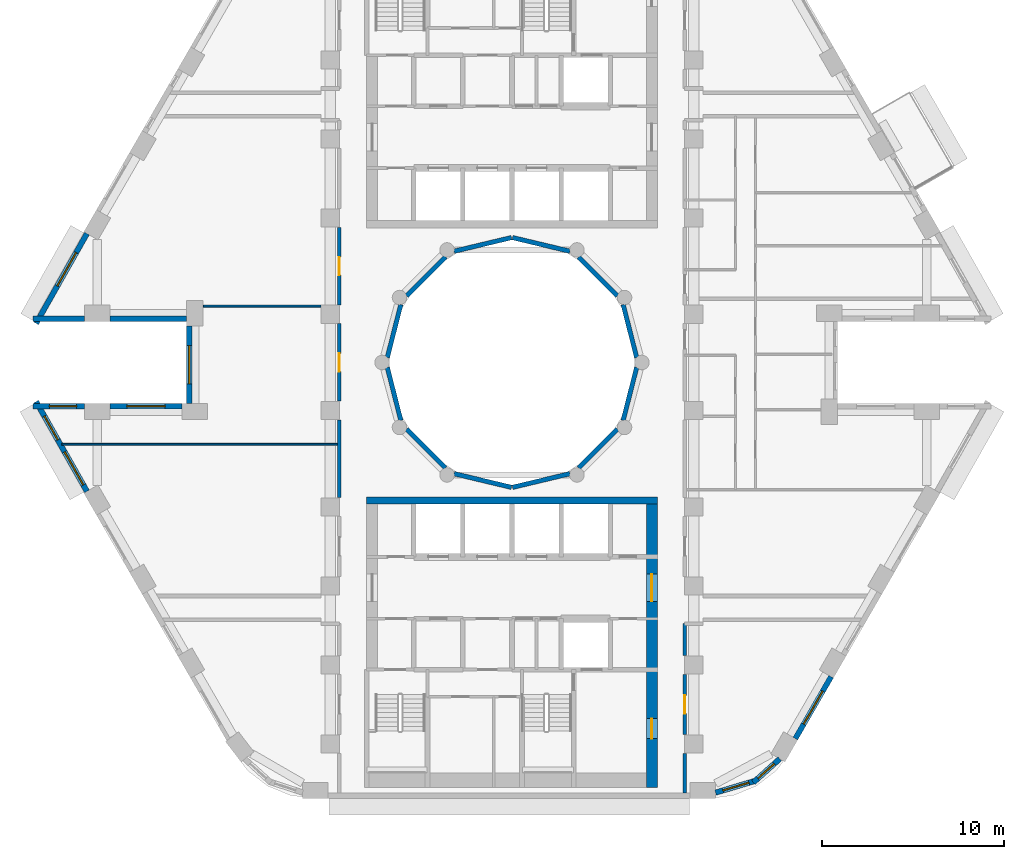
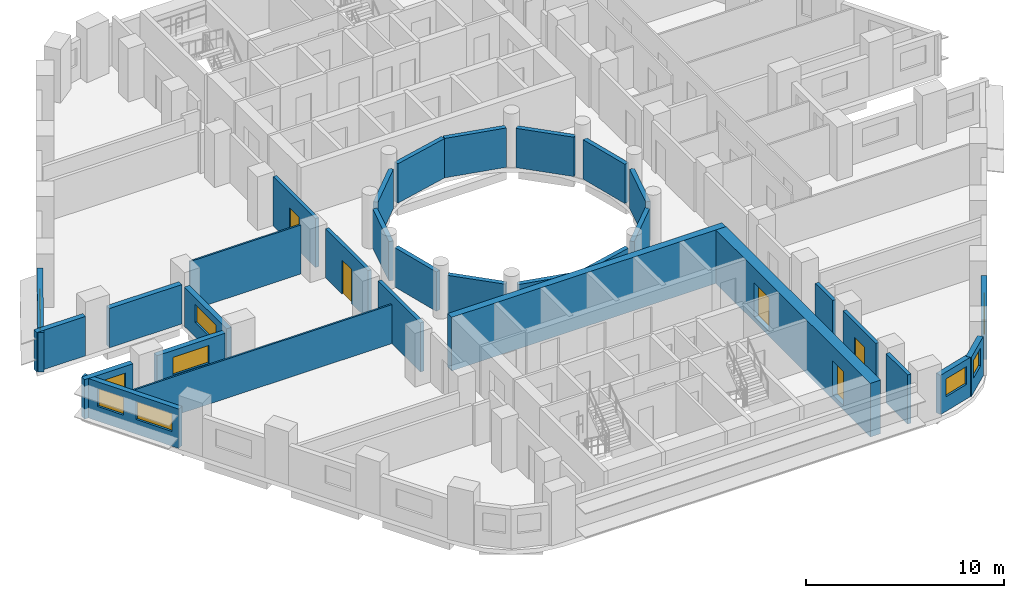
# One storey, part 4 of 13: 32 walls, 9 windows, 5 doors, 14 openings.
"""IFC4 building model written with IfcOpenShell, lengths in metres."""

from ifc_helpers import new_model, si_unit, direction, frame, frame_2d, origin, place, context, subcontext, project, spatial, rectangle, extrude, material, layer, layer_set, type_object, element, fill, save


model = new_model("IFC4")

# Units and contexts
model_context = context("Model", 3, precision=1e-05, world=origin(), true_north=direction((0.0, 1.0)))
body_context = subcontext(model_context, "Body", "Model", "MODEL_VIEW")
ifc_project = project(units=[si_unit("LENGTHUNIT", "METRE"), si_unit("AREAUNIT", "SQUARE_METRE"), si_unit("VOLUMEUNIT", "CUBIC_METRE"), si_unit("PLANEANGLEUNIT", "RADIAN"), si_unit("MASSUNIT", "GRAM", prefix="KILO")], contexts=[model_context])

# Site, building, storey
site_placement = place(None, origin())
site = spatial("IfcSite", under=ifc_project, at=site_placement, CompositionType="ELEMENT")
building_placement = place(site_placement, origin())
building = spatial("IfcBuilding", under=site, at=building_placement, Name="Nakaniwa Court", CompositionType="ELEMENT")
storey_placement = place(building_placement, frame((0.0, 0.0, 84.300048828125)))
storey = spatial("IfcBuildingStorey", under=building, at=storey_placement, Name="L21", CompositionType="ELEMENT", Elevation=84.300048828125)

# Wall
ifc_material_1 = material(Name="Acoustic double stud partition")
ifc_layer_1 = layer(ifc_material_1, 0.199951171875)
ifc_layer_set_1 = layer_set([ifc_layer_1], Name="Acoustic double stud partition")
wall_type_1 = type_object("IfcWallType", Name="Acoustic double stud partition 200", PredefinedType="PARTITIONING", material=ifc_layer_set_1)
wall_1_placement = place(storey_placement, frame((89.5, 56.300048828125, 0.0), z_axis=(0.0, 0.0, 1.0), x_axis=(0.0, 1.0, 0.0)))
element("IfcWall", 1, at=wall_1_placement, inside=storey, type_object=wall_type_1, Name="Partition PW-069", PredefinedType="PARTITIONING", context=body_context, shape_type="SweptSolid", body=[
    extrude(rectangle(XDim=2.182861328125, YDim=0.199951171875, at=frame_2d((1.09130859375, 0.0))), origin(), (0.0, 0.0, 1.0), 3.02490234375),
])

# Wall, opening, door
wall_2_placement = place(storey_placement, frame((89.5, 62.8330078125, 0.0), z_axis=(0.0, 0.0, 1.0), x_axis=(0.0, -1.0, 0.0)))
wall_2 = element("IfcWall", 2, at=wall_2_placement, inside=storey, type_object=wall_type_1, Name="Partition PW-070", PredefinedType="PARTITIONING", context=body_context, shape_type="SweptSolid", body=[
    extrude(rectangle(XDim=3.31591796875, YDim=0.199951171875, at=frame_2d((1.657958984375, 0.0))), origin(), (0.0, 0.0, 1.0), 3.02490234375),
])
opening_1_placement = place(wall_2_placement, frame((1.157958984375, 0.0, 0.0)))
opening_1 = element("IfcOpeningElement", 3, at=opening_1_placement, cuts=wall_2, Name="Opening D-02-08", PredefinedType="OPENING", context=body_context, shape_type="SweptSolid", body=[
    extrude(rectangle(XDim=1.0, YDim=2.10009765625, at=frame_2d((0.5, 1.050048828125))), frame((0.0, 0.10986328125, 0.0), z_axis=(0.0, -1.0, 0.0), x_axis=(1.0, 0.0, 0.0)), (0.0, 0.0, 1.0), 0.219970703125),
])
ifc_material_2 = material(Name="Solid core timber door set, black veneer", Category="wood")
door_type_1 = type_object("IfcDoorType", Name="Internal door 1000", OperationType="NOTDEFINED", PredefinedType="DOOR", material=ifc_material_2)
door_1_placement = place(opening_1_placement, origin())
door_1 = element("IfcDoor", 4, at=door_1_placement, inside=storey, type_object=door_type_1, Name="Door D-02-08 L21-046", OperationType="SINGLE_SWING_LEFT", OverallHeight=2.10009765625, OverallWidth=1.0, PredefinedType="DOOR", context=body_context, shape_type="SweptSolid", body=[
    extrude(rectangle(XDim=1.0, YDim=2.10009765625, at=frame_2d((0.5, 1.050048828125))), frame((0.0, 0.02490234375, 0.0), z_axis=(0.0, -1.0, 0.0), x_axis=(1.0, 0.0, 0.0)), (0.0, 0.0, 1.0), 0.050048828125),
])
fill(opening_1, door_1)

# Walls
wall_3_placement = place(storey_placement, frame((89.5, 63.866943359375, 0.0), z_axis=(0.0, 0.0, 1.0), x_axis=(0.0, 1.0, 0.0)))
element("IfcWall", 5, at=wall_3_placement, inside=storey, type_object=wall_type_1, Name="Partition PW-071", PredefinedType="PARTITIONING", context=body_context, shape_type="SweptSolid", body=[
    extrude(rectangle(XDim=1.760986328125, YDim=0.199951171875, at=frame_2d((0.88037109375, 0.0))), origin(), (0.0, 0.0, 1.0), 3.02490234375),
])
wall_4_placement = place(storey_placement, frame((70.5, 72.56689453125, 0.0), z_axis=(0.0, 0.0, 1.0), x_axis=(0.0, 1.0, 0.0)))
element("IfcWall", 6, at=wall_4_placement, inside=storey, type_object=wall_type_1, Name="Partition PW-099", PredefinedType="PARTITIONING", context=body_context, shape_type="SweptSolid", body=[
    extrude(rectangle(XDim=4.26611328125, YDim=0.199951171875, at=frame_2d((2.133056640625, 0.0))), origin(), (0.0, 0.0, 1.0), 3.02490234375),
])

# Wall, opening, door
wall_5_placement = place(storey_placement, frame((70.5, 77.866943359375, 0.0), z_axis=(0.0, 0.0, 1.0), x_axis=(0.0, 1.0, 0.0)))
wall_5 = element("IfcWall", 7, at=wall_5_placement, inside=storey, type_object=wall_type_1, Name="Partition PW-100", PredefinedType="PARTITIONING", context=body_context, shape_type="SweptSolid", body=[
    extrude(rectangle(XDim=4.26611328125, YDim=0.199951171875, at=frame_2d((2.133056640625, 0.0))), origin(), (0.0, 0.0, 1.0), 3.02490234375),
])
opening_2_placement = place(wall_5_placement, frame((1.633056640625, 0.0, 0.0)))
opening_2 = element("IfcOpeningElement", 8, at=opening_2_placement, cuts=wall_5, Name="Opening D-02-05", PredefinedType="OPENING", context=body_context, shape_type="SweptSolid", body=[
    extrude(rectangle(XDim=1.0, YDim=2.10009765625, at=frame_2d((0.5, 1.050048828125))), frame((0.0, 0.10986328125, 0.0), z_axis=(0.0, -1.0, 0.0), x_axis=(1.0, 0.0, 0.0)), (0.0, 0.0, 1.0), 0.219970703125),
])
door_2_placement = place(opening_2_placement, origin())
door_2 = element("IfcDoor", 9, at=door_2_placement, inside=storey, type_object=door_type_1, Name="Door D-02-05 L21-043", OperationType="SINGLE_SWING_RIGHT", OverallHeight=2.10009765625, OverallWidth=1.0, PredefinedType="DOOR", context=body_context, shape_type="SweptSolid", body=[
    extrude(rectangle(XDim=1.0, YDim=2.10009765625, at=frame_2d((0.5, 1.050048828125))), frame((0.0, 0.02490234375, 0.0), z_axis=(0.0, -1.0, 0.0), x_axis=(1.0, 0.0, 0.0)), (0.0, 0.0, 1.0), 0.050048828125),
])
fill(opening_2, door_2)

wall_6_placement = place(storey_placement, frame((70.5, 83.1669921875, 0.0), z_axis=(0.0, 0.0, 1.0), x_axis=(0.0, 1.0, 0.0)))
wall_6 = element("IfcWall", 10, at=wall_6_placement, inside=storey, type_object=wall_type_1, Name="Partition PW-101", PredefinedType="PARTITIONING", context=body_context, shape_type="SweptSolid", body=[
    extrude(rectangle(XDim=4.26611328125, YDim=0.199951171875, at=frame_2d((2.133056640625, 0.0))), origin(), (0.0, 0.0, 1.0), 3.02490234375),
])
opening_3_placement = place(wall_6_placement, frame((1.633056640625, 0.0, 0.0)))
opening_3 = element("IfcOpeningElement", 11, at=opening_3_placement, cuts=wall_6, Name="Opening D-02-06", PredefinedType="OPENING", context=body_context, shape_type="SweptSolid", body=[
    extrude(rectangle(XDim=1.0, YDim=2.10009765625, at=frame_2d((0.5, 1.050048828125))), frame((0.0, 0.10986328125, 0.0), z_axis=(0.0, -1.0, 0.0), x_axis=(1.0, 0.0, 0.0)), (0.0, 0.0, 1.0), 0.219970703125),
])
door_3_placement = place(opening_3_placement, origin())
door_3 = element("IfcDoor", 12, at=door_3_placement, inside=storey, type_object=door_type_1, Name="Door D-02-06 L21-044", OperationType="SINGLE_SWING_LEFT", OverallHeight=2.10009765625, OverallWidth=1.0, PredefinedType="DOOR", context=body_context, shape_type="SweptSolid", body=[
    extrude(rectangle(XDim=1.0, YDim=2.10009765625, at=frame_2d((0.5, 1.050048828125))), frame((0.0, 0.02490234375, 0.0), z_axis=(0.0, -1.0, 0.0), x_axis=(1.0, 0.0, 0.0)), (0.0, 0.0, 1.0), 0.050048828125),
])
fill(opening_3, door_3)

# Wall, opening, window
ifc_material_3 = material(Name="Charcoal ceramic cladding")
ifc_layer_2 = layer(ifc_material_3, 0.02, Name="Ceramic cladding")
ifc_material_4 = material(Name="Ventilated air cavity")
ifc_layer_3 = layer(ifc_material_4, 0.04, ventilated=True, Name="Ventilated cavity")
ifc_material_5 = material(Name="Mineral wool insulation")
ifc_layer_4 = layer(ifc_material_5, 0.1, Name="Insulation")
ifc_material_6 = material(Name="Cement bonded sheathing board")
ifc_layer_5 = layer(ifc_material_6, 0.012, Name="Sheathing")
ifc_material_7 = material(Name="Cold-formed galvanised stud frame with mineral wool infill")
ifc_layer_6 = layer(ifc_material_7, 0.1, Name="Stud frame")
ifc_material_8 = material(Name="Fire-rated gypsum plasterboard lining")
ifc_layer_7 = layer(ifc_material_8, 0.028, Name="Lining")
ifc_layer_set_2 = layer_set([ifc_layer_2, ifc_layer_3, ifc_layer_4, ifc_layer_5, ifc_layer_6, ifc_layer_7], Name="Charcoal ceramic faced external wall system")
wall_type_2 = type_object("IfcWallType", Name="Black ceramic faced external wall 300", PredefinedType="SOLIDWALL", material=ifc_layer_set_2)
wall_7_placement = place(storey_placement, frame((56.609375, 87.09375, 0.0), z_axis=(0.0, 0.0, 1.0), x_axis=(-0.492456858874, -0.870336855561, 0.0)))
wall_7 = element("IfcWall", 13, at=wall_7_placement, inside=storey, type_object=wall_type_2, Name="L21 external wall 14", PredefinedType="SOLIDWALL", context=body_context, shape_type="SweptSolid", body=[
    extrude(rectangle(XDim=5.676513671875, YDim=0.300048828125, at=frame_2d((2.83837890625, 0.0))), origin(), (0.0, 0.0, 1.0), 2.425048828125),
])
opening_4_placement = place(wall_7_placement, frame((1.208984375, 0.0, 0.89990234375)))
opening_4 = element("IfcOpeningElement", 14, at=opening_4_placement, cuts=wall_7, Name="Opening W7.16", PredefinedType="OPENING", context=body_context, shape_type="SweptSolid", body=[
    extrude(rectangle(XDim=2.10009765625, YDim=1.10009765625, at=frame_2d((1.050048828125, 0.550048828125))), frame((0.0, 0.159912109375, 0.0), z_axis=(0.0, -1.0, 0.0), x_axis=(1.0, 0.0, 0.0)), (0.0, 0.0, 1.0), 0.320068359375),
])
ifc_material_9 = material(Name="Black anodised aluminium frame with dark low-E laminated double glazing", Category="aluminium")
window_type_1 = type_object("IfcWindowType", Name="Dark glass window 2100x1100 sill 900", PartitioningType="SINGLE_PANEL", PredefinedType="WINDOW", material=ifc_material_9)
window_1_placement = place(opening_4_placement, origin())
window_1 = element("IfcWindow", 15, at=window_1_placement, inside=storey, type_object=window_type_1, Name="L21 habitable room window 14-0", OverallHeight=1.10009765625, OverallWidth=2.10009765625, PartitioningType="SINGLE_PANEL", PredefinedType="WINDOW", context=body_context, shape_type="SweptSolid", body=[
    extrude(rectangle(XDim=2.10009765625, YDim=1.10009765625, at=frame_2d((1.050048828125, 0.550048828125))), frame((0.0, 0.030029296875, 0.0), z_axis=(0.0, -1.0, 0.0), x_axis=(1.0, 0.0, 0.0)), (0.0, 0.0, 1.0), 0.06005859375),
])
fill(opening_4, window_1)

# Walls
wall_8_placement = place(storey_placement, frame((53.643310546875, 82.39990234375, 0.0), z_axis=(0.0, 0.0, 1.0), x_axis=(1.0, 0.0, 0.0)))
element("IfcWall", 16, at=wall_8_placement, inside=storey, type_object=wall_type_2, Name="L21 external wall 15", PredefinedType="SOLIDWALL", context=body_context, shape_type="SweptSolid", body=[
    extrude(rectangle(XDim=2.837890625, YDim=0.300048828125, at=frame_2d((1.4189453125, 0.0))), origin(), (0.0, 0.0, 1.0), 2.425048828125),
])
wall_9_placement = place(storey_placement, frame((57.873046875, 82.39990234375, 0.0), z_axis=(0.0, 0.0, 1.0), x_axis=(1.0, 0.0, 0.0)))
element("IfcWall", 17, at=wall_9_placement, inside=storey, type_object=wall_type_2, Name="L21 external wall 16", PredefinedType="SOLIDWALL", context=body_context, shape_type="SweptSolid", body=[
    extrude(rectangle(XDim=4.22265625, YDim=0.300048828125, at=frame_2d((2.111328125, 0.0))), origin(), (0.0, 0.0, 1.0), 2.425048828125),
])

# Wall, opening, window
wall_10_placement = place(storey_placement, frame((62.24169921875, 82.00390625, 0.0), z_axis=(0.0, 0.0, 1.0), x_axis=(0.0, -1.0, 0.0)))
wall_10 = element("IfcWall", 18, at=wall_10_placement, inside=storey, type_object=wall_type_2, Name="L21 external wall 17", PredefinedType="SOLIDWALL", context=body_context, shape_type="SweptSolid", body=[
    extrude(rectangle(XDim=4.2578125, YDim=0.300048828125, at=frame_2d((2.12890625, 0.0))), origin(), (0.0, 0.0, 1.0), 2.425048828125),
])
opening_5_placement = place(wall_10_placement, frame((1.0791015625, 0.0, 0.89990234375)))
opening_5 = element("IfcOpeningElement", 19, at=opening_5_placement, cuts=wall_10, Name="Opening W7.17", PredefinedType="OPENING", context=body_context, shape_type="SweptSolid", body=[
    extrude(rectangle(XDim=2.10009765625, YDim=1.10009765625, at=frame_2d((1.050048828125, 0.550048828125))), frame((0.0, 0.159912109375, 0.0), z_axis=(0.0, -1.0, 0.0), x_axis=(1.0, 0.0, 0.0)), (0.0, 0.0, 1.0), 0.320068359375),
])
window_2_placement = place(opening_5_placement, origin())
window_2 = element("IfcWindow", 20, at=window_2_placement, inside=storey, type_object=window_type_1, Name="L21 habitable room window 17-0", OverallHeight=1.10009765625, OverallWidth=2.10009765625, PartitioningType="SINGLE_PANEL", PredefinedType="WINDOW", context=body_context, shape_type="SweptSolid", body=[
    extrude(rectangle(XDim=2.10009765625, YDim=1.10009765625, at=frame_2d((1.050048828125, 0.550048828125))), frame((0.0, 0.030029296875, 0.0), z_axis=(0.0, -1.0, 0.0), x_axis=(1.0, 0.0, 0.0)), (0.0, 0.0, 1.0), 0.06005859375),
])
fill(opening_5, window_2)

wall_11_placement = place(storey_placement, frame((61.845703125, 77.60009765625, 0.0), z_axis=(0.0, 0.0, 1.0), x_axis=(-1.0, 0.0, 0.0)))
wall_11 = element("IfcWall", 21, at=wall_11_placement, inside=storey, type_object=wall_type_2, Name="L21 external wall 18", PredefinedType="SOLIDWALL", context=body_context, shape_type="SweptSolid", body=[
    extrude(rectangle(XDim=3.97265625, YDim=0.300048828125, at=frame_2d((1.986328125, 0.0))), origin(), (0.0, 0.0, 1.0), 2.425048828125),
])
opening_6_placement = place(wall_11_placement, frame((0.936279296875, 0.0, 0.89990234375)))
opening_6 = element("IfcOpeningElement", 22, at=opening_6_placement, cuts=wall_11, Name="Opening W7.18", PredefinedType="OPENING", context=body_context, shape_type="SweptSolid", body=[
    extrude(rectangle(XDim=2.10009765625, YDim=1.10009765625, at=frame_2d((1.050048828125, 0.550048828125))), frame((0.0, 0.159912109375, 0.0), z_axis=(0.0, -1.0, 0.0), x_axis=(1.0, 0.0, 0.0)), (0.0, 0.0, 1.0), 0.320068359375),
])
window_3_placement = place(opening_6_placement, origin())
window_3 = element("IfcWindow", 23, at=window_3_placement, inside=storey, type_object=window_type_1, Name="L21 habitable room window 18-0", OverallHeight=1.10009765625, OverallWidth=2.10009765625, PartitioningType="SINGLE_PANEL", PredefinedType="WINDOW", context=body_context, shape_type="SweptSolid", body=[
    extrude(rectangle(XDim=2.10009765625, YDim=1.10009765625, at=frame_2d((1.050048828125, 0.550048828125))), frame((0.0, 0.030029296875, 0.0), z_axis=(0.0, -1.0, 0.0), x_axis=(1.0, 0.0, 0.0)), (0.0, 0.0, 1.0), 0.06005859375),
])
fill(opening_6, window_3)

wall_12_placement = place(storey_placement, frame((56.481201171875, 77.60009765625, 0.0), z_axis=(0.0, 0.0, 1.0), x_axis=(-1.0, 0.0, 0.0)))
wall_12 = element("IfcWall", 24, at=wall_12_placement, inside=storey, type_object=wall_type_2, Name="L21 external wall 19", PredefinedType="SOLIDWALL", context=body_context, shape_type="SweptSolid", body=[
    extrude(rectangle(XDim=2.837890625, YDim=0.300048828125, at=frame_2d((1.4189453125, 0.0))), origin(), (0.0, 0.0, 1.0), 2.425048828125),
])
opening_7_placement = place(wall_12_placement, frame((0.44384765625, 0.0, 0.89990234375)))
opening_7 = element("IfcOpeningElement", 25, at=opening_7_placement, cuts=wall_12, Name="Opening W5.19", PredefinedType="OPENING", context=body_context, shape_type="SweptSolid", body=[
    extrude(rectangle(XDim=1.5, YDim=1.10009765625, at=frame_2d((0.75, 0.550048828125))), frame((0.0, 0.159912109375, 0.0), z_axis=(0.0, -1.0, 0.0), x_axis=(1.0, 0.0, 0.0)), (0.0, 0.0, 1.0), 0.320068359375),
])
window_type_2 = type_object("IfcWindowType", Name="Dark glass window 1500x1100 sill 900", PartitioningType="SINGLE_PANEL", PredefinedType="WINDOW", material=ifc_material_9)
window_4_placement = place(opening_7_placement, origin())
window_4 = element("IfcWindow", 26, at=window_4_placement, inside=storey, type_object=window_type_2, Name="L21 habitable room window 19-0", OverallHeight=1.10009765625, OverallWidth=1.5, PartitioningType="SINGLE_PANEL", PredefinedType="WINDOW", context=body_context, shape_type="SweptSolid", body=[
    extrude(rectangle(XDim=1.5, YDim=1.10009765625, at=frame_2d((0.75, 0.550048828125))), frame((0.0, 0.030029296875, 0.0), z_axis=(0.0, -1.0, 0.0), x_axis=(1.0, 0.0, 0.0)), (0.0, 0.0, 1.0), 0.06005859375),
])
fill(opening_7, window_4)

# Wall, openings, windows
wall_13_placement = place(storey_placement, frame((53.81396484375, 77.8466796875, 0.0), z_axis=(0.0, 0.0, 1.0), x_axis=(0.492456858874, -0.870336855561, 0.0)))
wall_13 = element("IfcWall", 27, at=wall_13_placement, inside=storey, type_object=wall_type_2, Name="L21 external wall 20", PredefinedType="SOLIDWALL", context=body_context, shape_type="SweptSolid", body=[
    extrude(rectangle(XDim=5.676513671875, YDim=0.300048828125, at=frame_2d((2.83837890625, 0.0))), origin(), (0.0, 0.0, 1.0), 2.425048828125),
])
opening_8_placement = place(wall_13_placement, frame((0.922119140625, 0.0, 0.89990234375)))
opening_8 = element("IfcOpeningElement", 28, at=opening_8_placement, cuts=wall_13, Name="Opening W5.20", PredefinedType="OPENING", context=body_context, shape_type="SweptSolid", body=[
    extrude(rectangle(XDim=1.5, YDim=1.10009765625, at=frame_2d((0.75, 0.550048828125))), frame((0.0, 0.159912109375, 0.0), z_axis=(0.0, -1.0, 0.0), x_axis=(1.0, 0.0, 0.0)), (0.0, 0.0, 1.0), 0.320068359375),
])
opening_9_placement = place(wall_13_placement, frame((3.171630859375, 0.0, 0.89990234375)))
opening_9 = element("IfcOpeningElement", 29, at=opening_9_placement, cuts=wall_13, Name="Opening W7.21", PredefinedType="OPENING", context=body_context, shape_type="SweptSolid", body=[
    extrude(rectangle(XDim=2.10009765625, YDim=1.10009765625, at=frame_2d((1.050048828125, 0.550048828125))), frame((0.0, 0.159912109375, 0.0), z_axis=(0.0, -1.0, 0.0), x_axis=(1.0, 0.0, 0.0)), (0.0, 0.0, 1.0), 0.320068359375),
])
window_5_placement = place(opening_8_placement, origin())
window_5 = element("IfcWindow", 30, at=window_5_placement, inside=storey, type_object=window_type_2, Name="L21 habitable room window 20-0", OverallHeight=1.10009765625, OverallWidth=1.5, PartitioningType="SINGLE_PANEL", PredefinedType="WINDOW", context=body_context, shape_type="SweptSolid", body=[
    extrude(rectangle(XDim=1.5, YDim=1.10009765625, at=frame_2d((0.75, 0.550048828125))), frame((0.0, 0.030029296875, 0.0), z_axis=(0.0, -1.0, 0.0), x_axis=(1.0, 0.0, 0.0)), (0.0, 0.0, 1.0), 0.06005859375),
])
fill(opening_8, window_5)
window_6_placement = place(opening_9_placement, origin())
window_6 = element("IfcWindow", 31, at=window_6_placement, inside=storey, type_object=window_type_1, Name="L21 habitable room window 20-1", OverallHeight=1.10009765625, OverallWidth=2.10009765625, PartitioningType="SINGLE_PANEL", PredefinedType="WINDOW", context=body_context, shape_type="SweptSolid", body=[
    extrude(rectangle(XDim=2.10009765625, YDim=1.10009765625, at=frame_2d((1.050048828125, 0.550048828125))), frame((0.0, 0.030029296875, 0.0), z_axis=(0.0, -1.0, 0.0), x_axis=(1.0, 0.0, 0.0)), (0.0, 0.0, 1.0), 0.06005859375),
])
fill(opening_9, window_6)

# Wall, opening, window
wall_14_placement = place(storey_placement, frame((91.203369140625, 56.329833984375, 0.0), z_axis=(0.0, 0.0, 1.0), x_axis=(0.95847736903, 0.285168604614, 0.0)))
wall_14 = element("IfcWall", 32, at=wall_14_placement, inside=storey, type_object=wall_type_2, Name="L21 external wall 27", PredefinedType="SOLIDWALL", context=body_context, shape_type="SweptSolid", body=[
    extrude(rectangle(XDim=2.261962890625, YDim=0.300048828125, at=frame_2d((1.130859375, 0.0))), origin(), (0.0, 0.0, 1.0), 2.425048828125),
])
opening_10_placement = place(wall_14_placement, frame((0.418701171875, 0.0, 0.89990234375)))
opening_10 = element("IfcOpeningElement", 33, at=opening_10_placement, cuts=wall_14, Name="Opening W5.27", PredefinedType="OPENING", context=body_context, shape_type="SweptSolid", body=[
    extrude(rectangle(XDim=1.5, YDim=1.10009765625, at=frame_2d((0.75, 0.550048828125))), frame((0.0, 0.159912109375, 0.0), z_axis=(0.0, -1.0, 0.0), x_axis=(1.0, 0.0, 0.0)), (0.0, 0.0, 1.0), 0.320068359375),
])
window_7_placement = place(opening_10_placement, origin())
window_7 = element("IfcWindow", 34, at=window_7_placement, inside=storey, type_object=window_type_2, Name="L21 habitable room window 27-0", OverallHeight=1.10009765625, OverallWidth=1.5, PartitioningType="SINGLE_PANEL", PredefinedType="WINDOW", context=body_context, shape_type="SweptSolid", body=[
    extrude(rectangle(XDim=1.5, YDim=1.10009765625, at=frame_2d((0.75, 0.550048828125))), frame((0.0, 0.030029296875, 0.0), z_axis=(0.0, -1.0, 0.0), x_axis=(1.0, 0.0, 0.0)), (0.0, 0.0, 1.0), 0.06005859375),
])
fill(opening_10, window_7)

wall_15_placement = place(storey_placement, frame((93.283447265625, 56.88671875, 0.0), z_axis=(0.0, 0.0, 1.0), x_axis=(0.743785734967, 0.668418117992, 0.0)))
wall_15 = element("IfcWall", 35, at=wall_15_placement, inside=storey, type_object=wall_type_2, Name="L21 external wall 28", PredefinedType="SOLIDWALL", context=body_context, shape_type="SweptSolid", body=[
    extrude(rectangle(XDim=1.9501953125, YDim=0.300048828125, at=frame_2d((0.97509765625, 0.0))), origin(), (0.0, 0.0, 1.0), 2.425048828125),
])
opening_11_placement = place(wall_15_placement, frame((0.334716796875, 0.0, 0.89990234375)))
opening_11 = element("IfcOpeningElement", 36, at=opening_11_placement, cuts=wall_15, Name="Opening W6.28", PredefinedType="OPENING", context=body_context, shape_type="SweptSolid", body=[
    extrude(rectangle(XDim=1.199951171875, YDim=1.10009765625, at=frame_2d((0.60009765625, 0.550048828125))), frame((0.0, 0.159912109375, 0.0), z_axis=(0.0, -1.0, 0.0), x_axis=(1.0, 0.0, 0.0)), (0.0, 0.0, 1.0), 0.320068359375),
])
window_type_3 = type_object("IfcWindowType", Name="Dark glass window 1200x1100 sill 900", PartitioningType="SINGLE_PANEL", PredefinedType="WINDOW", material=ifc_material_9)
window_8_placement = place(opening_11_placement, origin())
window_8 = element("IfcWindow", 37, at=window_8_placement, inside=storey, type_object=window_type_3, Name="L21 habitable room window 28-0", OverallHeight=1.10009765625, OverallWidth=1.199951171875, PartitioningType="SINGLE_PANEL", PredefinedType="WINDOW", context=body_context, shape_type="SweptSolid", body=[
    extrude(rectangle(XDim=1.199951171875, YDim=1.10009765625, at=frame_2d((0.60009765625, 0.550048828125))), frame((0.0, 0.030029296875, 0.0), z_axis=(0.0, -1.0, 0.0), x_axis=(1.0, 0.0, 0.0)), (0.0, 0.0, 1.0), 0.06005859375),
])
fill(opening_11, window_8)

wall_16_placement = place(storey_placement, frame((95.59033203125, 59.30322265625, 0.0), z_axis=(0.0, 0.0, 1.0), x_axis=(0.500003583557, 0.866023334807, 0.0)))
wall_16 = element("IfcWall", 38, at=wall_16_placement, inside=storey, type_object=wall_type_2, Name="L21 external wall 29", PredefinedType="SOLIDWALL", context=body_context, shape_type="SweptSolid", body=[
    extrude(rectangle(XDim=3.93408203125, YDim=0.300048828125, at=frame_2d((1.967041015625, 0.0))), origin(), (0.0, 0.0, 1.0), 2.425048828125),
])
opening_12_placement = place(wall_16_placement, frame((0.9169921875, 0.0, 0.89990234375)))
opening_12 = element("IfcOpeningElement", 39, at=opening_12_placement, cuts=wall_16, Name="Opening W7.29", PredefinedType="OPENING", context=body_context, shape_type="SweptSolid", body=[
    extrude(rectangle(XDim=2.10009765625, YDim=1.10009765625, at=frame_2d((1.050048828125, 0.550048828125))), frame((0.0, 0.159912109375, 0.0), z_axis=(0.0, -1.0, 0.0), x_axis=(1.0, 0.0, 0.0)), (0.0, 0.0, 1.0), 0.320068359375),
])
window_9_placement = place(opening_12_placement, origin())
window_9 = element("IfcWindow", 40, at=window_9_placement, inside=storey, type_object=window_type_1, Name="L21 habitable room window 29-0", OverallHeight=1.10009765625, OverallWidth=2.10009765625, PartitioningType="SINGLE_PANEL", PredefinedType="WINDOW", context=body_context, shape_type="SweptSolid", body=[
    extrude(rectangle(XDim=2.10009765625, YDim=1.10009765625, at=frame_2d((1.050048828125, 0.550048828125))), frame((0.0, 0.030029296875, 0.0), z_axis=(0.0, -1.0, 0.0), x_axis=(1.0, 0.0, 0.0)), (0.0, 0.0, 1.0), 0.06005859375),
])
fill(opening_12, window_9)

# Walls
ifc_layer_8 = layer(ifc_material_3, 0.02, Name="Ceramic cladding")
ifc_layer_9 = layer(ifc_material_4, 0.04, ventilated=True, Name="Ventilated cavity")
ifc_layer_10 = layer(ifc_material_5, 0.075, Name="Insulation")
ifc_layer_11 = layer(ifc_material_6, 0.012, Name="Sheathing")
ifc_layer_12 = layer(ifc_material_7, 0.075, Name="Stud frame")
ifc_layer_13 = layer(ifc_material_8, 0.028, Name="Lining")
ifc_layer_set_3 = layer_set([ifc_layer_8, ifc_layer_9, ifc_layer_10, ifc_layer_11, ifc_layer_12, ifc_layer_13], Name="Charcoal ceramic faced external wall system")
wall_type_3 = type_object("IfcWallType", Name="Charcoal ceramic faced well wall 250", PredefinedType="SOLIDWALL", material=ifc_layer_set_3)
wall_17_placement = place(storey_placement, frame((86.8603515625, 79.72998046875, 0.0), z_axis=(0.0, 0.0, 1.0), x_axis=(-0.247055971283, -0.969001211069, 0.0)))
element("IfcWall", 41, at=wall_17_placement, inside=storey, type_object=wall_type_3, Name="L21 external wall 36", PredefinedType="SOLIDWALL", context=body_context, shape_type="SweptSolid", body=[
    extrude(rectangle(XDim=3.010009765625, YDim=0.25, at=frame_2d((1.5048828125, 0.0))), origin(), (0.0, 0.0, 1.0), 2.425048828125),
])
wall_18_placement = place(storey_placement, frame((85.8056640625, 76.339111328125, 0.0), z_axis=(0.0, 0.0, 1.0), x_axis=(-0.707106781187, -0.707106781187, 0.0)))
element("IfcWall", 42, at=wall_18_placement, inside=storey, type_object=wall_type_3, Name="L21 external wall 37", PredefinedType="SOLIDWALL", context=body_context, shape_type="SweptSolid", body=[
    extrude(rectangle(XDim=3.033203125, YDim=0.25, at=frame_2d((1.5166015625, 0.0))), origin(), (0.0, 0.0, 1.0), 2.425048828125),
])
for number, where, z_axis, x_axis, name in (
    (43, (83.186279296875, 73.880615234375, 0.0), (0.0, 0.0, 1.0), (-0.972773113459, -0.231759508395, 0.0), "L21 external wall 38"),
    (44, (79.970947265625, 73.12841796875, 0.0), (0.0, 0.0, 1.0), (-0.972773113459, 0.231759508395, 0.0), "L21 external wall 39"),
):
    element("IfcWall", number, at=place(storey_placement, frame(where, z_axis=z_axis, x_axis=x_axis)), inside=storey, type_object=wall_type_3, Name=name, PredefinedType="SOLIDWALL", context=body_context, shape_type="SweptSolid", body=[
        extrude(rectangle(XDim=3.24560546875, YDim=0.25, at=frame_2d((1.622802734375, 0.0))), origin(), (0.0, 0.0, 1.0), 2.425048828125),
    ])
wall_19_placement = place(storey_placement, frame((76.339111328125, 74.1943359375, 0.0), z_axis=(0.0, 0.0, 1.0), x_axis=(-0.707106781187, 0.707106781187, 0.0)))
element("IfcWall", 45, at=wall_19_placement, inside=storey, type_object=wall_type_3, Name="L21 external wall 40", PredefinedType="SOLIDWALL", context=body_context, shape_type="SweptSolid", body=[
    extrude(rectangle(XDim=3.033203125, YDim=0.25, at=frame_2d((1.5166015625, 0.0))), origin(), (0.0, 0.0, 1.0), 2.425048828125),
])
for number, where, z_axis, x_axis, name in (
    (46, (73.88330078125, 76.813232421875, 0.0), (0.0, 0.0, 1.0), (-0.247055971283, 0.969001211069, 0.0), "L21 external wall 41"),
    (47, (73.1396484375, 80.27001953125, 0.0), (0.0, 0.0, 1.0), (0.247055971283, 0.969001211069, 0.0), "L21 external wall 42"),
):
    element("IfcWall", number, at=place(storey_placement, frame(where, z_axis=z_axis, x_axis=x_axis)), inside=storey, type_object=wall_type_3, Name=name, PredefinedType="SOLIDWALL", context=body_context, shape_type="SweptSolid", body=[
        extrude(rectangle(XDim=3.010009765625, YDim=0.25, at=frame_2d((1.5048828125, 0.0))), origin(), (0.0, 0.0, 1.0), 2.425048828125),
    ])
wall_20_placement = place(storey_placement, frame((74.1943359375, 83.660888671875, 0.0), z_axis=(0.0, 0.0, 1.0), x_axis=(0.707106781187, 0.707106781187, 0.0)))
element("IfcWall", 48, at=wall_20_placement, inside=storey, type_object=wall_type_3, Name="L21 external wall 43", PredefinedType="SOLIDWALL", context=body_context, shape_type="SweptSolid", body=[
    extrude(rectangle(XDim=3.033203125, YDim=0.25, at=frame_2d((1.5166015625, 0.0))), origin(), (0.0, 0.0, 1.0), 2.425048828125),
])
for number, where, z_axis, x_axis, name in (
    (49, (76.813720703125, 86.119384765625, 0.0), (0.0, 0.0, 1.0), (0.972773113459, 0.231759508395, 0.0), "L21 external wall 44"),
    (50, (80.029052734375, 86.87158203125, 0.0), (0.0, 0.0, 1.0), (0.972773113459, -0.231759508395, 0.0), "L21 external wall 45"),
):
    element("IfcWall", number, at=place(storey_placement, frame(where, z_axis=z_axis, x_axis=x_axis)), inside=storey, type_object=wall_type_3, Name=name, PredefinedType="SOLIDWALL", context=body_context, shape_type="SweptSolid", body=[
        extrude(rectangle(XDim=3.24560546875, YDim=0.25, at=frame_2d((1.622802734375, 0.0))), origin(), (0.0, 0.0, 1.0), 2.425048828125),
    ])
wall_21_placement = place(storey_placement, frame((83.660888671875, 85.8056640625, 0.0), z_axis=(0.0, 0.0, 1.0), x_axis=(0.707106781187, -0.707106781187, 0.0)))
element("IfcWall", 51, at=wall_21_placement, inside=storey, type_object=wall_type_3, Name="L21 external wall 46", PredefinedType="SOLIDWALL", context=body_context, shape_type="SweptSolid", body=[
    extrude(rectangle(XDim=3.033203125, YDim=0.25, at=frame_2d((1.5166015625, 0.0))), origin(), (0.0, 0.0, 1.0), 2.425048828125),
])
wall_22_placement = place(storey_placement, frame((86.11669921875, 83.186767578125, 0.0), z_axis=(0.0, 0.0, 1.0), x_axis=(0.247055971283, -0.969001211069, 0.0)))
element("IfcWall", 52, at=wall_22_placement, inside=storey, type_object=wall_type_3, Name="L21 external wall 47", PredefinedType="SOLIDWALL", context=body_context, shape_type="SweptSolid", body=[
    extrude(rectangle(XDim=3.010009765625, YDim=0.25, at=frame_2d((1.5048828125, 0.0))), origin(), (0.0, 0.0, 1.0), 2.425048828125),
])

# Wall, openings, doors
ifc_material_10 = material(Name="Concrete C80/100", Category="concrete")
ifc_layer_14 = layer(ifc_material_10, 0.60009765625)
ifc_layer_set_4 = layer_set([ifc_layer_14], Name="Concrete C80/100")
wall_type_4 = type_object("IfcWallType", Name="Concrete core side wall 600 C80", PredefinedType="SHEAR", material=ifc_layer_set_4)
wall_23_placement = place(storey_placement, frame((87.699951171875, 72.199951171875, -0.275146484375), z_axis=(0.0, 0.0, 1.0), x_axis=(0.0, -1.0, 0.0)))
wall_23 = element("IfcWall", 53, at=wall_23_placement, inside=storey, type_object=wall_type_4, Name="Core wall SW-49", PredefinedType="SHEAR", context=body_context, shape_type="SweptSolid", body=[
    extrude(rectangle(XDim=15.599853515625, YDim=0.60009765625, at=frame_2d((7.7998046875, 0.0))), origin(), (0.0, 0.0, 1.0), 3.300048828125),
])
opening_13_placement = place(wall_23_placement, frame((3.85009765625, 0.0, 0.27490234375)))
opening_13 = element("IfcOpeningElement", 54, at=opening_13_placement, cuts=wall_23, Name="Opening D-07-03", PredefinedType="OPENING", context=body_context, shape_type="SweptSolid", body=[
    extrude(rectangle(XDim=1.5, YDim=2.10009765625, at=frame_2d((0.75, 1.050048828125))), frame((0.0, 0.31005859375, 0.0), z_axis=(0.0, -1.0, 0.0), x_axis=(1.0, 0.0, 0.0)), (0.0, 0.0, 1.0), 0.6201171875),
])
opening_14_placement = place(wall_23_placement, frame((11.800048828125, 0.0, 0.27490234375)))
opening_14 = element("IfcOpeningElement", 55, at=opening_14_placement, cuts=wall_23, Name="Opening D-10-02", PredefinedType="OPENING", context=body_context, shape_type="SweptSolid", body=[
    extrude(rectangle(XDim=1.10009765625, YDim=2.10009765625, at=frame_2d((0.550048828125, 1.050048828125))), frame((0.0, 0.31005859375, 0.0), z_axis=(0.0, -1.0, 0.0), x_axis=(1.0, 0.0, 0.0)), (0.0, 0.0, 1.0), 0.6201171875),
])
ifc_material_11 = material(Name="Fire rated steel door set", Category="steel")
door_type_2 = type_object("IfcDoorType", Name="Firefighting lobby door 1100", OperationType="NOTDEFINED", PredefinedType="DOOR", material=ifc_material_11)
door_4_placement = place(opening_14_placement, origin())
door_4 = element("IfcDoor", 56, at=door_4_placement, inside=storey, type_object=door_type_2, Name="Door D-10-02 L21-052", OperationType="SINGLE_SWING_LEFT", OverallHeight=2.10009765625, OverallWidth=1.10009765625, PredefinedType="DOOR", context=body_context, shape_type="SweptSolid", body=[
    extrude(rectangle(XDim=1.10009765625, YDim=2.10009765625, at=frame_2d((0.550048828125, 1.050048828125))), frame((0.0, 0.02490234375, 0.0), z_axis=(0.0, -1.0, 0.0), x_axis=(1.0, 0.0, 0.0)), (0.0, 0.0, 1.0), 0.050048828125),
])
fill(opening_14, door_4)
ifc_material_12 = material(Name="Glazed fire rated steel double door set", Category="steel")
door_type_3 = type_object("IfcDoorType", Name="Lobby double door 1500", OperationType="NOTDEFINED", PredefinedType="DOOR", material=ifc_material_12)
door_5_placement = place(opening_13_placement, origin())
door_5 = element("IfcDoor", 57, at=door_5_placement, inside=storey, type_object=door_type_3, Name="Door D-07-03 L21-050", OperationType="DOUBLE_DOOR_SINGLE_SWING", OverallHeight=2.10009765625, OverallWidth=1.5, PredefinedType="DOOR", context=body_context, shape_type="SweptSolid", body=[
    extrude(rectangle(XDim=1.5, YDim=2.10009765625, at=frame_2d((0.75, 1.050048828125))), frame((0.0, 0.02490234375, 0.0), z_axis=(0.0, -1.0, 0.0), x_axis=(1.0, 0.0, 0.0)), (0.0, 0.0, 1.0), 0.050048828125),
])
fill(opening_13, door_5)

# Walls
ifc_layer_15 = layer(ifc_material_10, 0.39990234375)
ifc_layer_set_5 = layer_set([ifc_layer_15], Name="Concrete C80/100")
wall_type_5 = type_object("IfcWallType", Name="Concrete core well wall 400 C80", PredefinedType="SHEAR", material=ifc_layer_set_5)
wall_24_placement = place(storey_placement, frame((72.00390625, 72.39990234375, -0.275146484375), z_axis=(0.0, 0.0, 1.0), x_axis=(1.0, 0.0, 0.0)))
element("IfcWall", 58, at=wall_24_placement, inside=storey, type_object=wall_type_5, Name="Core wall SW-124", PredefinedType="SHEAR", context=body_context, shape_type="SweptSolid", body=[
    extrude(rectangle(XDim=15.9921875, YDim=0.39990234375, at=frame_2d((7.99609375, 0.0))), origin(), (0.0, 0.0, 1.0), 3.300048828125),
])
ifc_material_13 = material(Name="Single stud plasterboard partition")
ifc_layer_16 = layer(ifc_material_13, 0.10009765625)
ifc_layer_set_6 = layer_set([ifc_layer_16], Name="Single stud plasterboard partition")
wall_type_6 = type_object("IfcWallType", Name="Single stud plasterboard partition 100", PredefinedType="PARTITIONING", material=ifc_layer_set_6)
wall_25_placement = place(storey_placement, frame((55.231689453125, 75.5, 0.0), z_axis=(0.0, 0.0, 1.0), x_axis=(1.0, 0.0, 0.0)))
element("IfcWall", 59, at=wall_25_placement, inside=storey, type_object=wall_type_6, Name="Partition PW-120", PredefinedType="PARTITIONING", context=body_context, shape_type="SweptSolid", body=[
    extrude(rectangle(XDim=15.268310546875, YDim=0.10009765625, at=frame_2d((7.63427734375, 0.0))), origin(), (0.0, 0.0, 1.0), 2.405029296875),
])
wall_26_placement = place(storey_placement, frame((63.01171875, 83.10009765625, 0.0), z_axis=(0.0, 0.0, 1.0), x_axis=(1.0, 0.0, 0.0)))
element("IfcWall", 60, at=wall_26_placement, inside=storey, type_object=wall_type_6, Name="Partition PW-121", PredefinedType="PARTITIONING", context=body_context, shape_type="SweptSolid", body=[
    extrude(rectangle(XDim=6.46826171875, YDim=0.10009765625, at=frame_2d((3.234130859375, 0.0))), origin(), (0.0, 0.0, 1.0), 3.02490234375),
])

save(model, "model.ifc")
